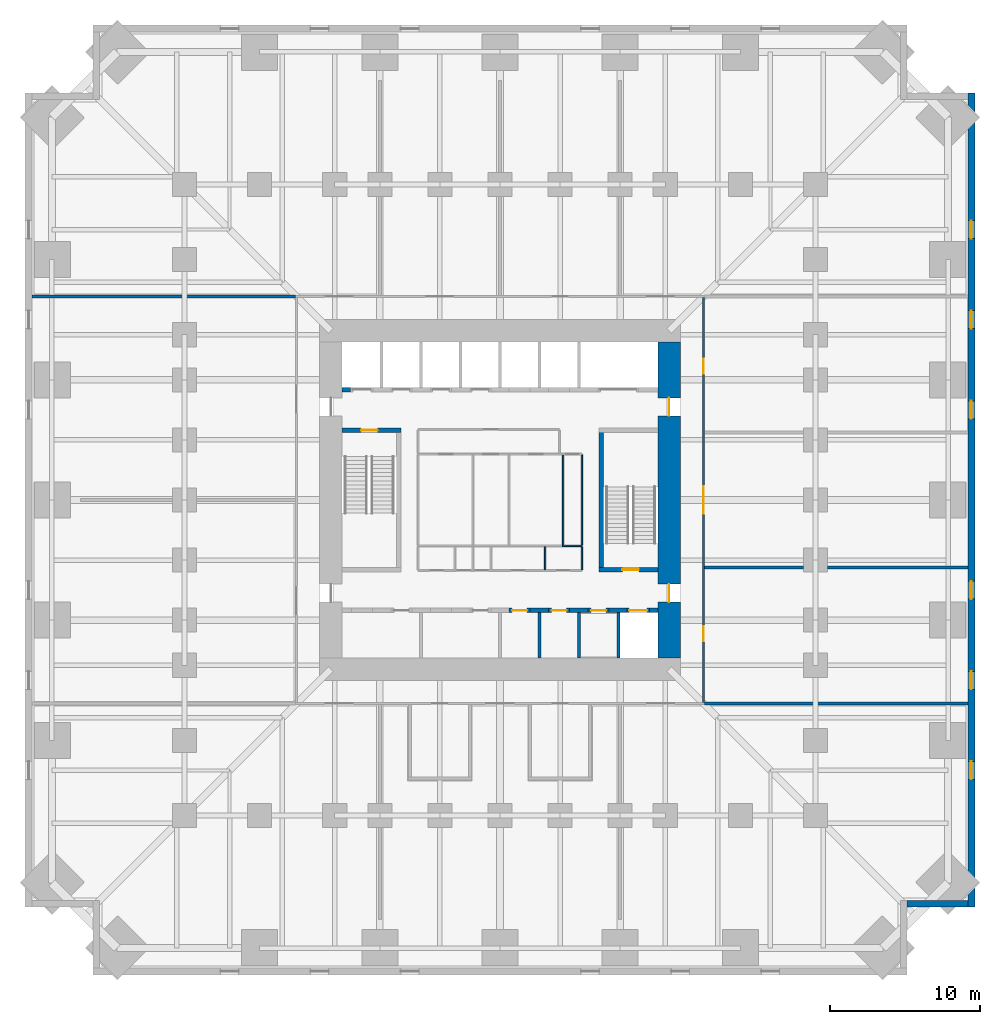
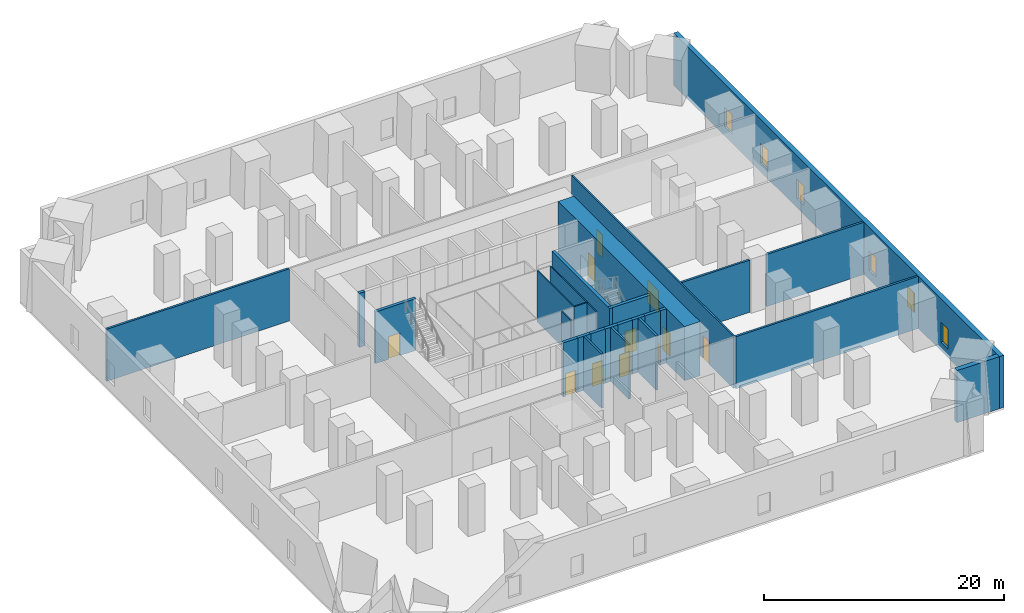
# One storey, part 5 of 8: 28 walls, 11 doors, 6 windows, 17 openings.
"""IFC4 building model written with IfcOpenShell, lengths in metres."""

from ifc_helpers import new_model, si_unit, direction, frame, frame_2d, origin, place, context, subcontext, project, spatial, rectangle, extrude, material, layer, layer_set, type_object, element, fill, save


model = new_model("IFC4")

# Units and contexts
model_context = context("Model", 3, precision=1e-05, world=origin(), true_north=direction((0.0, 1.0)))
body_context = subcontext(model_context, "Body", "Model", "MODEL_VIEW")
ifc_project = project(units=[si_unit("LENGTHUNIT", "METRE"), si_unit("AREAUNIT", "SQUARE_METRE"), si_unit("VOLUMEUNIT", "CUBIC_METRE"), si_unit("PLANEANGLEUNIT", "RADIAN"), si_unit("MASSUNIT", "GRAM", prefix="KILO")], contexts=[model_context])

# Site, building, storey
site_placement = place(None, origin())
site = spatial("IfcSite", under=ifc_project, at=site_placement, CompositionType="ELEMENT")
building_placement = place(site_placement, origin())
building = spatial("IfcBuilding", under=site, at=building_placement, Name="Peilmerk Tower", CompositionType="ELEMENT")
storey_placement = place(building_placement, frame((0.0, 0.0, 26.5)))
storey = spatial("IfcBuildingStorey", under=building, at=storey_placement, Name="L05", CompositionType="ELEMENT", Elevation=26.5)

# Wall, openings, windows
ifc_material_1 = material(Name="Precast concrete C45/55, board-marked finish", Category="concrete")
ifc_layer_1 = layer(ifc_material_1, 0.449951171875)
ifc_layer_set_1 = layer_set([ifc_layer_1], Name="Precast concrete C45/55, board-marked finish")
wall_type_1 = type_object("IfcWallType", Name="EW1 450 precast concrete facade wall, board-marked", PredefinedType="SOLIDWALL", material=ifc_layer_set_1)
wall_1_placement = place(storey_placement, frame((31.375, -27.10009765625, 0.0), z_axis=(0.0, 0.0, 1.0), x_axis=(0.0, 1.0, 0.0)))
wall_1 = element("IfcWall", 1, at=wall_1_placement, inside=storey, type_object=wall_type_1, Name="Facade wall E L05", PredefinedType="SOLIDWALL", context=body_context, shape_type="SweptSolid", body=[
    extrude(rectangle(XDim=54.2001953125, YDim=0.449951171875, at=frame_2d((27.10009765625, 0.0))), origin(), (0.0, 0.0, 1.0), 5.300048828125),
])
opening_1_placement = place(wall_1_placement, frame((8.5, 0.0, 0.89990234375)))
opening_1 = element("IfcOpeningElement", 2, at=opening_1_placement, cuts=wall_1, Name="Opening W2", PredefinedType="OPENING", context=body_context, shape_type="SweptSolid", body=[
    extrude(rectangle(XDim=1.199951171875, YDim=2.0, at=frame_2d((0.60009765625, 1.0))), frame((0.0, 0.23486328125, 0.0), z_axis=(0.0, -1.0, 0.0), x_axis=(1.0, 0.0, 0.0)), (0.0, 0.0, 1.0), 0.469970703125),
])
opening_2_placement = place(wall_1_placement, frame((14.5, 0.0, 0.89990234375)))
opening_2 = element("IfcOpeningElement", 3, at=opening_2_placement, cuts=wall_1, Name="Opening W2", PredefinedType="OPENING", context=body_context, shape_type="SweptSolid", body=[
    extrude(rectangle(XDim=1.199951171875, YDim=2.0, at=frame_2d((0.60009765625, 1.0))), frame((0.0, 0.23486328125, 0.0), z_axis=(0.0, -1.0, 0.0), x_axis=(1.0, 0.0, 0.0)), (0.0, 0.0, 1.0), 0.469970703125),
])
opening_3_placement = place(wall_1_placement, frame((20.5, 0.0, 0.89990234375)))
opening_3 = element("IfcOpeningElement", 4, at=opening_3_placement, cuts=wall_1, Name="Opening W2", PredefinedType="OPENING", context=body_context, shape_type="SweptSolid", body=[
    extrude(rectangle(XDim=1.199951171875, YDim=2.0, at=frame_2d((0.60009765625, 1.0))), frame((0.0, 0.23486328125, 0.0), z_axis=(0.0, -1.0, 0.0), x_axis=(1.0, 0.0, 0.0)), (0.0, 0.0, 1.0), 0.469970703125),
])
opening_4_placement = place(wall_1_placement, frame((32.5, 0.0, 0.89990234375)))
opening_4 = element("IfcOpeningElement", 5, at=opening_4_placement, cuts=wall_1, Name="Opening W2", PredefinedType="OPENING", context=body_context, shape_type="SweptSolid", body=[
    extrude(rectangle(XDim=1.199951171875, YDim=2.0, at=frame_2d((0.60009765625, 1.0))), frame((0.0, 0.23486328125, 0.0), z_axis=(0.0, -1.0, 0.0), x_axis=(1.0, 0.0, 0.0)), (0.0, 0.0, 1.0), 0.469970703125),
])
opening_5_placement = place(wall_1_placement, frame((38.5, 0.0, 0.89990234375)))
opening_5 = element("IfcOpeningElement", 6, at=opening_5_placement, cuts=wall_1, Name="Opening W2", PredefinedType="OPENING", context=body_context, shape_type="SweptSolid", body=[
    extrude(rectangle(XDim=1.199951171875, YDim=2.0, at=frame_2d((0.60009765625, 1.0))), frame((0.0, 0.23486328125, 0.0), z_axis=(0.0, -1.0, 0.0), x_axis=(1.0, 0.0, 0.0)), (0.0, 0.0, 1.0), 0.469970703125),
])
opening_6_placement = place(wall_1_placement, frame((44.5, 0.0, 0.89990234375)))
opening_6 = element("IfcOpeningElement", 7, at=opening_6_placement, cuts=wall_1, Name="Opening W2", PredefinedType="OPENING", context=body_context, shape_type="SweptSolid", body=[
    extrude(rectangle(XDim=1.199951171875, YDim=2.0, at=frame_2d((0.60009765625, 1.0))), frame((0.0, 0.23486328125, 0.0), z_axis=(0.0, -1.0, 0.0), x_axis=(1.0, 0.0, 0.0)), (0.0, 0.0, 1.0), 0.469970703125),
])
ifc_material_2 = material(Name="Aluminium frame, clear double glazing", Category="aluminium")
window_type = type_object("IfcWindowType", Name="W2 1200x2000 data hall slot window", PartitioningType="SINGLE_PANEL", PredefinedType="WINDOW", material=ifc_material_2)
window_1_placement = place(opening_1_placement, origin())
window_1 = element("IfcWindow", 8, at=window_1_placement, inside=storey, type_object=window_type, Name="Window W2 L05", OverallHeight=2.0, OverallWidth=1.199951171875, PartitioningType="SINGLE_PANEL", PredefinedType="WINDOW", context=body_context, shape_type="SweptSolid", body=[
    extrude(rectangle(XDim=1.199951171875, YDim=2.0, at=frame_2d((0.60009765625, 1.0))), frame((0.0, 0.030029296875, 0.0), z_axis=(0.0, -1.0, 0.0), x_axis=(1.0, 0.0, 0.0)), (0.0, 0.0, 1.0), 0.06005859375),
])
fill(opening_1, window_1)
window_2_placement = place(opening_2_placement, origin())
window_2 = element("IfcWindow", 9, at=window_2_placement, inside=storey, type_object=window_type, Name="Window W2 L05", OverallHeight=2.0, OverallWidth=1.199951171875, PartitioningType="SINGLE_PANEL", PredefinedType="WINDOW", context=body_context, shape_type="SweptSolid", body=[
    extrude(rectangle(XDim=1.199951171875, YDim=2.0, at=frame_2d((0.60009765625, 1.0))), frame((0.0, 0.030029296875, 0.0), z_axis=(0.0, -1.0, 0.0), x_axis=(1.0, 0.0, 0.0)), (0.0, 0.0, 1.0), 0.06005859375),
])
fill(opening_2, window_2)
window_3_placement = place(opening_3_placement, origin())
window_3 = element("IfcWindow", 10, at=window_3_placement, inside=storey, type_object=window_type, Name="Window W2 L05", OverallHeight=2.0, OverallWidth=1.199951171875, PartitioningType="SINGLE_PANEL", PredefinedType="WINDOW", context=body_context, shape_type="SweptSolid", body=[
    extrude(rectangle(XDim=1.199951171875, YDim=2.0, at=frame_2d((0.60009765625, 1.0))), frame((0.0, 0.030029296875, 0.0), z_axis=(0.0, -1.0, 0.0), x_axis=(1.0, 0.0, 0.0)), (0.0, 0.0, 1.0), 0.06005859375),
])
fill(opening_3, window_3)
window_4_placement = place(opening_4_placement, origin())
window_4 = element("IfcWindow", 11, at=window_4_placement, inside=storey, type_object=window_type, Name="Window W2 L05", OverallHeight=2.0, OverallWidth=1.199951171875, PartitioningType="SINGLE_PANEL", PredefinedType="WINDOW", context=body_context, shape_type="SweptSolid", body=[
    extrude(rectangle(XDim=1.199951171875, YDim=2.0, at=frame_2d((0.60009765625, 1.0))), frame((0.0, 0.030029296875, 0.0), z_axis=(0.0, -1.0, 0.0), x_axis=(1.0, 0.0, 0.0)), (0.0, 0.0, 1.0), 0.06005859375),
])
fill(opening_4, window_4)
window_5_placement = place(opening_5_placement, origin())
window_5 = element("IfcWindow", 12, at=window_5_placement, inside=storey, type_object=window_type, Name="Window W2 L05", OverallHeight=2.0, OverallWidth=1.199951171875, PartitioningType="SINGLE_PANEL", PredefinedType="WINDOW", context=body_context, shape_type="SweptSolid", body=[
    extrude(rectangle(XDim=1.199951171875, YDim=2.0, at=frame_2d((0.60009765625, 1.0))), frame((0.0, 0.030029296875, 0.0), z_axis=(0.0, -1.0, 0.0), x_axis=(1.0, 0.0, 0.0)), (0.0, 0.0, 1.0), 0.06005859375),
])
fill(opening_5, window_5)
window_6_placement = place(opening_6_placement, origin())
window_6 = element("IfcWindow", 13, at=window_6_placement, inside=storey, type_object=window_type, Name="Window W2 L05", OverallHeight=2.0, OverallWidth=1.199951171875, PartitioningType="SINGLE_PANEL", PredefinedType="WINDOW", context=body_context, shape_type="SweptSolid", body=[
    extrude(rectangle(XDim=1.199951171875, YDim=2.0, at=frame_2d((0.60009765625, 1.0))), frame((0.0, 0.030029296875, 0.0), z_axis=(0.0, -1.0, 0.0), x_axis=(1.0, 0.0, 0.0)), (0.0, 0.0, 1.0), 0.06005859375),
])
fill(opening_6, window_6)

# Wall
wall_2_placement = place(storey_placement, frame((27.10009765625, -26.875, 0.0), z_axis=(0.0, 0.0, 1.0), x_axis=(1.0, 0.0, 0.0)))
element("IfcWall", 14, at=wall_2_placement, inside=storey, type_object=wall_type_1, Name="Facade wall SEB L05", PredefinedType="SOLIDWALL", context=body_context, shape_type="SweptSolid", body=[
    extrude(rectangle(XDim=4.0498046875, YDim=0.449951171875, at=frame_2d((2.02490234375, 0.0))), origin(), (0.0, 0.0, 1.0), 5.300048828125),
])

# Wall, openings, doors
ifc_material_3 = material(Name="Calcium silicate block", Category="masonry")
ifc_layer_2 = layer(ifc_material_3, 0.14990234375)
ifc_layer_set_2 = layer_set([ifc_layer_2], Name="Calcium silicate block")
wall_type_2 = type_object("IfcWallType", Name="IW1 150 corridor partition, EI 60", PredefinedType="PARTITIONING", material=ifc_layer_set_2)
wall_3_placement = place(storey_placement, frame((13.550048828125, -13.47509765625, 0.0), z_axis=(0.0, 0.0, 1.0), x_axis=(0.0, 1.0, 0.0)))
wall_3 = element("IfcWall", 15, at=wall_3_placement, inside=storey, type_object=wall_type_2, Name="Corridor wall E L05", PredefinedType="PARTITIONING", context=body_context, shape_type="SweptSolid", body=[
    extrude(rectangle(XDim=26.9501953125, YDim=0.14990234375, at=frame_2d((13.47509765625, 0.0))), origin(), (0.0, 0.0, 1.0), 5.300048828125),
])
opening_7_placement = place(wall_3_placement, frame((4.074951171875, 0.0, 0.0)))
opening_7 = element("IfcOpeningElement", 16, at=opening_7_placement, cuts=wall_3, Name="Opening D1", PredefinedType="OPENING", context=body_context, shape_type="SweptSolid", body=[
    extrude(rectangle(XDim=1.0, YDim=2.300048828125, at=frame_2d((0.5, 1.14990234375))), frame((0.0, 0.0849609375, 0.0), z_axis=(0.0, -1.0, 0.0), x_axis=(1.0, 0.0, 0.0)), (0.0, 0.0, 1.0), 0.169921875),
])
opening_8_placement = place(wall_3_placement, frame((12.574951171875, 0.0, 0.0)))
opening_8 = element("IfcOpeningElement", 17, at=opening_8_placement, cuts=wall_3, Name="Opening D2", PredefinedType="OPENING", context=body_context, shape_type="SweptSolid", body=[
    extrude(rectangle(XDim=1.800048828125, YDim=2.300048828125, at=frame_2d((0.89990234375, 1.14990234375))), frame((0.0, 0.0849609375, 0.0), z_axis=(0.0, -1.0, 0.0), x_axis=(1.0, 0.0, 0.0)), (0.0, 0.0, 1.0), 0.169921875),
])
opening_9_placement = place(wall_3_placement, frame((21.875, 0.0, 0.0)))
opening_9 = element("IfcOpeningElement", 18, at=opening_9_placement, cuts=wall_3, Name="Opening D1", PredefinedType="OPENING", context=body_context, shape_type="SweptSolid", body=[
    extrude(rectangle(XDim=1.0, YDim=2.300048828125, at=frame_2d((0.5, 1.14990234375))), frame((0.0, 0.0849609375, 0.0), z_axis=(0.0, -1.0, 0.0), x_axis=(1.0, 0.0, 0.0)), (0.0, 0.0, 1.0), 0.169921875),
])
ifc_material_4 = material(Name="Timber door in steel frame", Category="steel")
door_type_1 = type_object("IfcDoorType", Name="D1 1000x2300 room door, EI2 30", OperationType="SINGLE_SWING_LEFT", PredefinedType="DOOR", material=ifc_material_4)
door_1_placement = place(opening_7_placement, frame((1.0, 0.0, 0.0), z_axis=(0.0, 0.0, 1.0), x_axis=(-1.0, 0.0, 0.0)))
door_1 = element("IfcDoor", 19, at=door_1_placement, inside=storey, type_object=door_type_1, Name="Door HV switchroom L05", OperationType="SINGLE_SWING_LEFT", OverallHeight=2.300048828125, OverallWidth=1.0, PredefinedType="DOOR", context=body_context, shape_type="SweptSolid", body=[
    extrude(rectangle(XDim=1.0, YDim=2.300048828125, at=frame_2d((0.5, 1.14990234375))), frame((0.0, 0.02490234375, 0.0), z_axis=(0.0, -1.0, 0.0), x_axis=(1.0, 0.0, 0.0)), (0.0, 0.0, 1.0), 0.050048828125),
])
fill(opening_7, door_1)
door_2_placement = place(opening_9_placement, frame((1.0, 0.0, 0.0), z_axis=(0.0, 0.0, 1.0), x_axis=(-1.0, 0.0, 0.0)))
door_2 = element("IfcDoor", 20, at=door_2_placement, inside=storey, type_object=door_type_1, Name="Door LV switchboard room L05", OperationType="SINGLE_SWING_LEFT", OverallHeight=2.300048828125, OverallWidth=1.0, PredefinedType="DOOR", context=body_context, shape_type="SweptSolid", body=[
    extrude(rectangle(XDim=1.0, YDim=2.300048828125, at=frame_2d((0.5, 1.14990234375))), frame((0.0, 0.02490234375, 0.0), z_axis=(0.0, -1.0, 0.0), x_axis=(1.0, 0.0, 0.0)), (0.0, 0.0, 1.0), 0.050048828125),
])
fill(opening_9, door_2)
ifc_material_5 = material(Name="Steel door in steel frame", Category="steel")
door_type_2 = type_object("IfcDoorType", Name="D2 1800x2300 double door, EI2 60", OperationType="DOUBLE_DOOR_DOUBLE_SWING", PredefinedType="DOOR", material=ifc_material_5)
door_3_placement = place(opening_8_placement, frame((1.800048828125, 0.0, 0.0), z_axis=(0.0, 0.0, 1.0), x_axis=(-1.0, 0.0, 0.0)))
door_3 = element("IfcDoor", 21, at=door_3_placement, inside=storey, type_object=door_type_2, Name="Door Transformer room L05", OperationType="DOUBLE_DOOR_DOUBLE_SWING", OverallHeight=2.300048828125, OverallWidth=1.800048828125, PredefinedType="DOOR", context=body_context, shape_type="SweptSolid", body=[
    extrude(rectangle(XDim=1.800048828125, YDim=2.300048828125, at=frame_2d((0.89990234375, 1.14990234375))), frame((0.0, 0.02490234375, 0.0), z_axis=(0.0, -1.0, 0.0), x_axis=(1.0, 0.0, 0.0)), (0.0, 0.0, 1.0), 0.050048828125),
])
fill(opening_8, door_3)

# Walls
ifc_layer_3 = layer(ifc_material_3, 0.199951171875)
ifc_layer_set_3 = layer_set([ifc_layer_3], Name="Calcium silicate block")
wall_type_3 = type_object("IfcWallType", Name="IW2 200 room separating wall, EI 120", PredefinedType="PARTITIONING", material=ifc_layer_set_3)
for number, where, z_axis, x_axis, name in (
    (22, (-31.14990234375, 13.550048828125, 0.0), (0.0, 0.0, 1.0), (1.0, 0.0, 0.0), "Room separating wall NW L05"),
    (23, (31.14990234375, -13.550048828125, 0.0), (0.0, 0.0, 1.0), (-1.0, 0.0, 0.0), "Room separating wall SE L05"),
):
    element("IfcWall", number, at=place(storey_placement, frame(where, z_axis=z_axis, x_axis=x_axis)), inside=storey, type_object=wall_type_3, Name=name, PredefinedType="PARTITIONING", context=body_context, shape_type="SweptSolid", body=[
        extrude(rectangle(XDim=17.52490234375, YDim=0.199951171875, at=frame_2d((8.762451171875, 0.0))), origin(), (0.0, 0.0, 1.0), 5.300048828125),
    ])
wall_4_placement = place(storey_placement, frame((13.625, -4.5, 0.0), z_axis=(0.0, 0.0, 1.0), x_axis=(1.0, 0.0, 0.0)))
element("IfcWall", 24, at=wall_4_placement, inside=storey, type_object=wall_type_3, Name="Room separating wall E1 L05", PredefinedType="PARTITIONING", context=body_context, shape_type="SweptSolid", body=[
    extrude(rectangle(XDim=6.574951171875, YDim=0.199951171875, at=frame_2d((3.28759765625, 0.0))), origin(), (0.0, 0.0, 1.0), 5.300048828125),
])
wall_5_placement = place(storey_placement, frame((21.800048828125, -4.5, 0.0), z_axis=(0.0, 0.0, 1.0), x_axis=(1.0, 0.0, 0.0)))
element("IfcWall", 25, at=wall_5_placement, inside=storey, type_object=wall_type_3, Name="Room separating wall E1b L05", PredefinedType="PARTITIONING", context=body_context, shape_type="SweptSolid", body=[
    extrude(rectangle(XDim=9.349853515625, YDim=0.199951171875, at=frame_2d((4.6748046875, 0.0))), origin(), (0.0, 0.0, 1.0), 5.300048828125),
])

# Wall, opening, door
ifc_material_6 = material(Name="Concrete C35/45", Category="concrete")
ifc_layer_4 = layer(ifc_material_6, 0.300048828125)
ifc_layer_set_4 = layer_set([ifc_layer_4], Name="Concrete C35/45")
wall_type_4 = type_object("IfcWallType", Name="IW3 300 concrete stair enclosure wall, EI 120", PredefinedType="SOLIDWALL", material=ifc_layer_set_4)
wall_6_placement = place(storey_placement, frame((-10.5, 4.64990234375, 0.0), z_axis=(0.0, 0.0, 1.0), x_axis=(1.0, 0.0, 0.0)))
wall_6 = element("IfcWall", 26, at=wall_6_placement, inside=storey, type_object=wall_type_4, Name="Stair 1 enclosure L05", PredefinedType="SOLIDWALL", context=body_context, shape_type="SweptSolid", body=[
    extrude(rectangle(XDim=3.89990234375, YDim=0.300048828125, at=frame_2d((1.949951171875, 0.0))), origin(), (0.0, 0.0, 1.0), 5.25),
])
opening_10_placement = place(wall_6_placement, frame((1.25, 0.0, 0.0)))
opening_10 = element("IfcOpeningElement", 27, at=opening_10_placement, cuts=wall_6, Name="Opening D4", PredefinedType="OPENING", context=body_context, shape_type="SweptSolid", body=[
    extrude(rectangle(XDim=1.10009765625, YDim=2.300048828125, at=frame_2d((0.550048828125, 1.14990234375))), frame((0.0, 0.159912109375, 0.0), z_axis=(0.0, -1.0, 0.0), x_axis=(1.0, 0.0, 0.0)), (0.0, 0.0, 1.0), 0.320068359375),
])
door_type_3 = type_object("IfcDoorType", Name="D4 1100x2300 stair door, EI2 60", OperationType="SINGLE_SWING_RIGHT", PredefinedType="DOOR", material=ifc_material_5)
door_4_placement = place(opening_10_placement, frame((1.10009765625, 0.0, 0.0), z_axis=(0.0, 0.0, 1.0), x_axis=(-1.0, 0.0, 0.0)))
door_4 = element("IfcDoor", 28, at=door_4_placement, inside=storey, type_object=door_type_3, Name="Stair 1 door L05", OperationType="SINGLE_SWING_RIGHT", OverallHeight=2.300048828125, OverallWidth=1.10009765625, PredefinedType="DOOR", context=body_context, shape_type="SweptSolid", body=[
    extrude(rectangle(XDim=1.10009765625, YDim=2.300048828125, at=frame_2d((0.550048828125, 1.14990234375))), frame((0.0, 0.02490234375, 0.0), z_axis=(0.0, -1.0, 0.0), x_axis=(1.0, 0.0, 0.0)), (0.0, 0.0, 1.0), 0.050048828125),
])
fill(opening_10, door_4)

# Wall
wall_7_placement = place(storey_placement, frame((6.75, -4.800048828125, 0.0), z_axis=(0.0, 0.0, 1.0), x_axis=(0.0, 1.0, 0.0)))
element("IfcWall", 29, at=wall_7_placement, inside=storey, type_object=wall_type_4, Name="Stair 2 enclosure L05", PredefinedType="SOLIDWALL", context=body_context, shape_type="SweptSolid", body=[
    extrude(rectangle(XDim=9.60009765625, YDim=0.300048828125, at=frame_2d((4.800048828125, 0.0))), origin(), (0.0, 0.0, 1.0), 5.25),
])

# Wall, opening, door
wall_8_placement = place(storey_placement, frame((10.5, -4.64990234375, 0.0), z_axis=(0.0, 0.0, 1.0), x_axis=(-1.0, 0.0, 0.0)))
wall_8 = element("IfcWall", 30, at=wall_8_placement, inside=storey, type_object=wall_type_4, Name="Stair 2 enclosure L05", PredefinedType="SOLIDWALL", context=body_context, shape_type="SweptSolid", body=[
    extrude(rectangle(XDim=3.89990234375, YDim=0.300048828125, at=frame_2d((1.949951171875, 0.0))), origin(), (0.0, 0.0, 1.0), 5.25),
])
opening_11_placement = place(wall_8_placement, frame((1.25, 0.0, 0.0)))
opening_11 = element("IfcOpeningElement", 31, at=opening_11_placement, cuts=wall_8, Name="Opening D4", PredefinedType="OPENING", context=body_context, shape_type="SweptSolid", body=[
    extrude(rectangle(XDim=1.10009765625, YDim=2.300048828125, at=frame_2d((0.550048828125, 1.14990234375))), frame((0.0, 0.159912109375, 0.0), z_axis=(0.0, -1.0, 0.0), x_axis=(1.0, 0.0, 0.0)), (0.0, 0.0, 1.0), 0.320068359375),
])
door_5_placement = place(opening_11_placement, frame((1.10009765625, 0.0, 0.0), z_axis=(0.0, 0.0, 1.0), x_axis=(-1.0, 0.0, 0.0)))
door_5 = element("IfcDoor", 32, at=door_5_placement, inside=storey, type_object=door_type_3, Name="Stair 2 door L05", OperationType="SINGLE_SWING_RIGHT", OverallHeight=2.300048828125, OverallWidth=1.10009765625, PredefinedType="DOOR", context=body_context, shape_type="SweptSolid", body=[
    extrude(rectangle(XDim=1.10009765625, YDim=2.300048828125, at=frame_2d((0.550048828125, 1.14990234375))), frame((0.0, 0.02490234375, 0.0), z_axis=(0.0, -1.0, 0.0), x_axis=(1.0, 0.0, 0.0)), (0.0, 0.0, 1.0), 0.050048828125),
])
fill(opening_11, door_5)

# Walls
ifc_material_7 = material(Name="Calcium silicate board on steel studs", Category="steel")
ifc_layer_5 = layer(ifc_material_7, 0.10009765625)
ifc_layer_set_5 = layer_set([ifc_layer_5], Name="Calcium silicate board on steel studs")
wall_type_5 = type_object("IfcWallType", Name="IW5 100 riser enclosure wall, EI 60", PredefinedType="PARTITIONING", material=ifc_layer_set_5)
wall_9_placement = place(storey_placement, frame((5.449951171875, -3.050048828125, 0.0), z_axis=(0.0, 0.0, 1.0), x_axis=(-1.0, 0.0, 0.0)))
element("IfcWall", 33, at=wall_9_placement, inside=storey, type_object=wall_type_5, Name="Riser wall L05", PredefinedType="PARTITIONING", context=body_context, shape_type="SweptSolid", body=[
    extrude(rectangle(XDim=1.300048828125, YDim=0.10009765625, at=frame_2d((0.64990234375, 0.0))), origin(), (0.0, 0.0, 1.0), 5.25),
])
for number, where, z_axis, x_axis, name in (
    (34, (5.449951171875, 3.0, 0.0), (0.0, 0.0, 1.0), (0.0, -1.0, 0.0), "Riser wall L05"),
    (35, (4.199951171875, -3.0, 0.0), (0.0, 0.0, 1.0), (0.0, 1.0, 0.0), "Riser wall L05"),
):
    element("IfcWall", number, at=place(storey_placement, frame(where, z_axis=z_axis, x_axis=x_axis)), inside=storey, type_object=wall_type_5, Name=name, PredefinedType="PARTITIONING", context=body_context, shape_type="SweptSolid", body=[
        extrude(rectangle(XDim=6.0, YDim=0.10009765625, at=frame_2d((3.0, 0.0))), origin(), (0.0, 0.0, 1.0), 5.25),
    ])
for number, where, z_axis, x_axis, name in (
    (36, (5.449951171875, -3.10009765625, 0.0), (0.0, 0.0, 1.0), (0.0, -1.0, 0.0), "Riser wall L05"),
    (37, (3.0, -3.10009765625, 0.0), (0.0, 0.0, 1.0), (0.0, -1.0, 0.0), "Riser wall L05"),
):
    element("IfcWall", number, at=place(storey_placement, frame(where, z_axis=z_axis, x_axis=x_axis)), inside=storey, type_object=wall_type_5, Name=name, PredefinedType="PARTITIONING", context=body_context, shape_type="SweptSolid", body=[
        extrude(rectangle(XDim=1.5498046875, YDim=0.10009765625, at=frame_2d((0.77490234375, 0.0))), origin(), (0.0, 0.0, 1.0), 5.25),
    ])
ifc_layer_6 = layer(ifc_material_3, 0.199951171875)
ifc_layer_set_6 = layer_set([ifc_layer_6], Name="Calcium silicate block")
wall_type_6 = type_object("IfcWallType", Name="SH1 200 shaft dividing wall, EI 120", PredefinedType="PARTITIONING", material=ifc_layer_set_6)
for number, where, z_axis, x_axis, name in (
    (38, (2.625, -10.5, 0.0), (0.0, 0.0, 1.0), (0.0, 1.0, 0.0), "Shaft wall S B3 L05"),
    (39, (5.25, -10.5, 0.0), (0.0, 0.0, 1.0), (0.0, 1.0, 0.0), "Shaft wall S B2 L05"),
    (40, (7.875, -10.5, 0.0), (0.0, 0.0, 1.0), (0.0, 1.0, 0.0), "Shaft wall S B1 L05"),
):
    element("IfcWall", number, at=place(storey_placement, frame(where, z_axis=z_axis, x_axis=x_axis)), inside=storey, type_object=wall_type_6, Name=name, PredefinedType="PARTITIONING", context=body_context, shape_type="SweptSolid", body=[
        extrude(rectangle(XDim=3.0, YDim=0.199951171875, at=frame_2d((1.5, 0.0))), origin(), (0.0, 0.0, 1.0), 5.5),
    ])

# Wall, opening, door
ifc_layer_7 = layer(ifc_material_3, 0.300048828125)
ifc_layer_set_7 = layer_set([ifc_layer_7], Name="Calcium silicate block")
wall_type_7 = type_object("IfcWallType", Name="SH2 300 lift landing door panel, EI 120", PredefinedType="PARTITIONING", material=ifc_layer_set_7)
wall_10_placement = place(storey_placement, frame((0.612548828125, -7.35009765625, 0.0), z_axis=(0.0, 0.0, 1.0), x_axis=(1.0, 0.0, 0.0)))
wall_10 = element("IfcWall", 41, at=wall_10_placement, inside=storey, type_object=wall_type_7, Name="Lift door panel S B3 L05", PredefinedType="PARTITIONING", context=body_context, shape_type="SweptSolid", body=[
    extrude(rectangle(XDim=1.39990234375, YDim=0.300048828125, at=frame_2d((0.699951171875, 0.0))), origin(), (0.0, 0.0, 1.0), 5.5),
])
opening_12_placement = place(wall_10_placement, frame((0.199951171875, 0.0, 0.0)))
opening_12 = element("IfcOpeningElement", 42, at=opening_12_placement, cuts=wall_10, Name="Opening D10", PredefinedType="OPENING", context=body_context, shape_type="SweptSolid", body=[
    extrude(rectangle(XDim=1.0, YDim=2.300048828125, at=frame_2d((0.5, 1.14990234375))), frame((0.0, 0.159912109375, 0.0), z_axis=(0.0, -1.0, 0.0), x_axis=(1.0, 0.0, 0.0)), (0.0, 0.0, 1.0), 0.320068359375),
])
door_type_4 = type_object("IfcDoorType", Name="D10 1000x2300 core room door, EI2 60", OperationType="SINGLE_SWING_RIGHT", PredefinedType="DOOR", material=ifc_material_5)
door_6_placement = place(opening_12_placement, frame((1.0, 0.0, 0.0), z_axis=(0.0, 0.0, 1.0), x_axis=(-1.0, 0.0, 0.0)))
door_6 = element("IfcDoor", 43, at=door_6_placement, inside=storey, type_object=door_type_4, Name="Door Electrical room L05", OperationType="SINGLE_SWING_RIGHT", OverallHeight=2.300048828125, OverallWidth=1.0, PredefinedType="DOOR", context=body_context, shape_type="SweptSolid", body=[
    extrude(rectangle(XDim=1.0, YDim=2.300048828125, at=frame_2d((0.5, 1.14990234375))), frame((0.0, 0.02490234375, 0.0), z_axis=(0.0, -1.0, 0.0), x_axis=(1.0, 0.0, 0.0)), (0.0, 0.0, 1.0), 0.050048828125),
])
fill(opening_12, door_6)

wall_11_placement = place(storey_placement, frame((3.237548828125, -7.35009765625, 0.0), z_axis=(0.0, 0.0, 1.0), x_axis=(1.0, 0.0, 0.0)))
wall_11 = element("IfcWall", 44, at=wall_11_placement, inside=storey, type_object=wall_type_7, Name="Lift door panel S B2 L05", PredefinedType="PARTITIONING", context=body_context, shape_type="SweptSolid", body=[
    extrude(rectangle(XDim=1.39990234375, YDim=0.300048828125, at=frame_2d((0.699951171875, 0.0))), origin(), (0.0, 0.0, 1.0), 5.5),
])
opening_13_placement = place(wall_11_placement, frame((0.199951171875, 0.0, 0.0)))
opening_13 = element("IfcOpeningElement", 45, at=opening_13_placement, cuts=wall_11, Name="Opening D10", PredefinedType="OPENING", context=body_context, shape_type="SweptSolid", body=[
    extrude(rectangle(XDim=1.0, YDim=2.300048828125, at=frame_2d((0.5, 1.14990234375))), frame((0.0, 0.159912109375, 0.0), z_axis=(0.0, -1.0, 0.0), x_axis=(1.0, 0.0, 0.0)), (0.0, 0.0, 1.0), 0.320068359375),
])
door_7_placement = place(opening_13_placement, frame((1.0, 0.0, 0.0), z_axis=(0.0, 0.0, 1.0), x_axis=(-1.0, 0.0, 0.0)))
door_7 = element("IfcDoor", 46, at=door_7_placement, inside=storey, type_object=door_type_4, Name="Door Staff WC L05", OperationType="SINGLE_SWING_RIGHT", OverallHeight=2.300048828125, OverallWidth=1.0, PredefinedType="DOOR", context=body_context, shape_type="SweptSolid", body=[
    extrude(rectangle(XDim=1.0, YDim=2.300048828125, at=frame_2d((0.5, 1.14990234375))), frame((0.0, 0.02490234375, 0.0), z_axis=(0.0, -1.0, 0.0), x_axis=(1.0, 0.0, 0.0)), (0.0, 0.0, 1.0), 0.050048828125),
])
fill(opening_13, door_7)

wall_12_placement = place(storey_placement, frame((5.862548828125, -7.35009765625, 0.0), z_axis=(0.0, 0.0, 1.0), x_axis=(1.0, 0.0, 0.0)))
wall_12 = element("IfcWall", 47, at=wall_12_placement, inside=storey, type_object=wall_type_7, Name="Lift door panel S B1 L05", PredefinedType="PARTITIONING", context=body_context, shape_type="SweptSolid", body=[
    extrude(rectangle(XDim=1.39990234375, YDim=0.300048828125, at=frame_2d((0.699951171875, 0.0))), origin(), (0.0, 0.0, 1.0), 5.5),
])
opening_14_placement = place(wall_12_placement, frame((0.199951171875, 0.0, 0.0)))
opening_14 = element("IfcOpeningElement", 48, at=opening_14_placement, cuts=wall_12, Name="Opening D10", PredefinedType="OPENING", context=body_context, shape_type="SweptSolid", body=[
    extrude(rectangle(XDim=1.0, YDim=2.300048828125, at=frame_2d((0.5, 1.14990234375))), frame((0.0, 0.159912109375, 0.0), z_axis=(0.0, -1.0, 0.0), x_axis=(1.0, 0.0, 0.0)), (0.0, 0.0, 1.0), 0.320068359375),
])
door_8_placement = place(opening_14_placement, frame((1.0, 0.0, 0.0), z_axis=(0.0, 0.0, 1.0), x_axis=(-1.0, 0.0, 0.0)))
door_8 = element("IfcDoor", 49, at=door_8_placement, inside=storey, type_object=door_type_4, Name="Door Pantry L05", OperationType="SINGLE_SWING_RIGHT", OverallHeight=2.300048828125, OverallWidth=1.0, PredefinedType="DOOR", context=body_context, shape_type="SweptSolid", body=[
    extrude(rectangle(XDim=1.0, YDim=2.300048828125, at=frame_2d((0.5, 1.14990234375))), frame((0.0, 0.02490234375, 0.0), z_axis=(0.0, -1.0, 0.0), x_axis=(1.0, 0.0, 0.0)), (0.0, 0.0, 1.0), 0.050048828125),
])
fill(opening_14, door_8)

wall_13_placement = place(storey_placement, frame((8.4375, -7.35009765625, 0.0), z_axis=(0.0, 0.0, 1.0), x_axis=(1.0, 0.0, 0.0)))
wall_13 = element("IfcWall", 50, at=wall_13_placement, inside=storey, type_object=wall_type_7, Name="Lift door panel S FL2 L05", PredefinedType="PARTITIONING", context=body_context, shape_type="SweptSolid", body=[
    extrude(rectangle(XDim=1.5, YDim=0.300048828125, at=frame_2d((0.75, 0.0))), origin(), (0.0, 0.0, 1.0), 5.5),
])
opening_15_placement = place(wall_13_placement, frame((0.14990234375, 0.0, 0.0)))
opening_15 = element("IfcOpeningElement", 51, at=opening_15_placement, cuts=wall_13, Name="Opening LD2", PredefinedType="OPENING", context=body_context, shape_type="SweptSolid", body=[
    extrude(rectangle(XDim=1.199951171875, YDim=2.300048828125, at=frame_2d((0.60009765625, 1.14990234375))), frame((0.0, 0.159912109375, 0.0), z_axis=(0.0, -1.0, 0.0), x_axis=(1.0, 0.0, 0.0)), (0.0, 0.0, 1.0), 0.320068359375),
])
ifc_material_8 = material(Name="Stainless steel landing door", Category="steel")
door_type_5 = type_object("IfcDoorType", Name="LD2 1200x2300 lift landing door, sliding, EI2 60", OperationType="SLIDING_TO_LEFT", PredefinedType="DOOR", material=ifc_material_8)
door_9_placement = place(opening_15_placement, origin())
door_9 = element("IfcDoor", 52, at=door_9_placement, inside=storey, type_object=door_type_5, Name="Lift landing door FL2 L05", OperationType="SLIDING_TO_LEFT", OverallHeight=2.300048828125, OverallWidth=1.199951171875, PredefinedType="DOOR", context=body_context, shape_type="SweptSolid", body=[
    extrude(rectangle(XDim=1.199951171875, YDim=2.300048828125, at=frame_2d((0.60009765625, 1.14990234375))), frame((0.0, 0.02490234375, 0.0), z_axis=(0.0, -1.0, 0.0), x_axis=(1.0, 0.0, 0.0)), (0.0, 0.0, 1.0), 0.050048828125),
])
fill(opening_15, door_9)

# Wall, openings, doors
ifc_material_9 = material(Name="Concrete C55/67", Category="concrete")
ifc_layer_8 = layer(ifc_material_9, 1.5)
ifc_layer_set_8 = layer_set([ifc_layer_8], Name="Concrete C55/67")
wall_type_8 = type_object("IfcWallType", Name="SW1 1500 core wall", PredefinedType="SHEAR", material=ifc_layer_set_8)
wall_14_placement = place(storey_placement, frame((11.25, 10.5, 0.0), z_axis=(0.0, 0.0, 1.0), x_axis=(0.0, -1.0, 0.0)))
wall_14 = element("IfcWall", 53, at=wall_14_placement, inside=storey, type_object=wall_type_8, Name="Core wall E L05", PredefinedType="SHEAR", context=body_context, shape_type="SweptSolid", body=[
    extrude(rectangle(XDim=21.0, YDim=1.5, at=frame_2d((10.5, 0.0))), origin(), (0.0, 0.0, 1.0), 5.5),
])
opening_16_placement = place(wall_14_placement, frame((3.699951171875, 0.0, 0.0)))
opening_16 = element("IfcOpeningElement", 54, at=opening_16_placement, cuts=wall_14, Name="Opening D3", PredefinedType="OPENING", context=body_context, shape_type="SweptSolid", body=[
    extrude(rectangle(XDim=1.199951171875, YDim=2.300048828125, at=frame_2d((0.60009765625, 1.14990234375))), frame((0.0, 0.760009765625, 0.0), z_axis=(0.0, -1.0, 0.0), x_axis=(1.0, 0.0, 0.0)), (0.0, 0.0, 1.0), 1.52001953125),
])
opening_17_placement = place(wall_14_placement, frame((16.10009765625, 0.0, 0.0)))
opening_17 = element("IfcOpeningElement", 55, at=opening_17_placement, cuts=wall_14, Name="Opening D3", PredefinedType="OPENING", context=body_context, shape_type="SweptSolid", body=[
    extrude(rectangle(XDim=1.199951171875, YDim=2.300048828125, at=frame_2d((0.60009765625, 1.14990234375))), frame((0.0, 0.760009765625, 0.0), z_axis=(0.0, -1.0, 0.0), x_axis=(1.0, 0.0, 0.0)), (0.0, 0.0, 1.0), 1.52001953125),
])
door_type_6 = type_object("IfcDoorType", Name="D3 1200x2300 core door, EI2 60", OperationType="SINGLE_SWING_LEFT", PredefinedType="DOOR", material=ifc_material_5)
door_10_placement = place(opening_16_placement, frame((1.199951171875, 0.0, 0.0), z_axis=(0.0, 0.0, 1.0), x_axis=(-1.0, 0.0, 0.0)))
door_10 = element("IfcDoor", 56, at=door_10_placement, inside=storey, type_object=door_type_6, Name="Core door L05", OperationType="SINGLE_SWING_LEFT", OverallHeight=2.300048828125, OverallWidth=1.199951171875, PredefinedType="DOOR", context=body_context, shape_type="SweptSolid", body=[
    extrude(rectangle(XDim=1.199951171875, YDim=2.300048828125, at=frame_2d((0.60009765625, 1.14990234375))), frame((0.0, 0.02490234375, 0.0), z_axis=(0.0, -1.0, 0.0), x_axis=(1.0, 0.0, 0.0)), (0.0, 0.0, 1.0), 0.050048828125),
])
fill(opening_16, door_10)
door_11_placement = place(opening_17_placement, frame((1.199951171875, 0.0, 0.0), z_axis=(0.0, 0.0, 1.0), x_axis=(-1.0, 0.0, 0.0)))
door_11 = element("IfcDoor", 57, at=door_11_placement, inside=storey, type_object=door_type_6, Name="Core door L05", OperationType="SINGLE_SWING_LEFT", OverallHeight=2.300048828125, OverallWidth=1.199951171875, PredefinedType="DOOR", context=body_context, shape_type="SweptSolid", body=[
    extrude(rectangle(XDim=1.199951171875, YDim=2.300048828125, at=frame_2d((0.60009765625, 1.14990234375))), frame((0.0, 0.02490234375, 0.0), z_axis=(0.0, -1.0, 0.0), x_axis=(1.0, 0.0, 0.0)), (0.0, 0.0, 1.0), 0.050048828125),
])
fill(opening_17, door_11)

# Walls
ifc_layer_9 = layer(ifc_material_9, 0.300048828125)
ifc_layer_set_9 = layer_set([ifc_layer_9], Name="Concrete C55/67")
wall_type_9 = type_object("IfcWallType", Name="SW2 300 lift bank pier", PredefinedType="SHEAR", material=ifc_layer_set_9)
wall_15_placement = place(storey_placement, frame((-10.5, 7.35009765625, 0.0), z_axis=(0.0, 0.0, 1.0), x_axis=(1.0, 0.0, 0.0)))
element("IfcWall", 58, at=wall_15_placement, inside=storey, type_object=wall_type_9, Name="Lift bank pier N L05", PredefinedType="SHEAR", context=body_context, shape_type="SweptSolid", body=[
    extrude(rectangle(XDim=0.5625, YDim=0.300048828125, at=frame_2d((0.28125, 0.0))), origin(), (0.0, 0.0, 1.0), 5.5),
])
for number, where, z_axis, x_axis, name in (
    (59, (2.012451171875, -7.35009765625, 0.0), (0.0, 0.0, 1.0), (1.0, 0.0, 0.0), "Lift bank pier S L05"),
    (60, (4.637451171875, -7.35009765625, 0.0), (0.0, 0.0, 1.0), (1.0, 0.0, 0.0), "Lift bank pier S L05"),
):
    element("IfcWall", number, at=place(storey_placement, frame(where, z_axis=z_axis, x_axis=x_axis)), inside=storey, type_object=wall_type_9, Name=name, PredefinedType="SHEAR", context=body_context, shape_type="SweptSolid", body=[
        extrude(rectangle(XDim=1.22509765625, YDim=0.300048828125, at=frame_2d((0.612548828125, 0.0))), origin(), (0.0, 0.0, 1.0), 5.5),
    ])
wall_16_placement = place(storey_placement, frame((7.262451171875, -7.35009765625, 0.0), z_axis=(0.0, 0.0, 1.0), x_axis=(1.0, 0.0, 0.0)))
element("IfcWall", 61, at=wall_16_placement, inside=storey, type_object=wall_type_9, Name="Lift bank pier S L05", PredefinedType="SHEAR", context=body_context, shape_type="SweptSolid", body=[
    extrude(rectangle(XDim=1.175048828125, YDim=0.300048828125, at=frame_2d((0.58740234375, 0.0))), origin(), (0.0, 0.0, 1.0), 5.5),
])
wall_17_placement = place(storey_placement, frame((9.9375, -7.35009765625, 0.0), z_axis=(0.0, 0.0, 1.0), x_axis=(1.0, 0.0, 0.0)))
element("IfcWall", 62, at=wall_17_placement, inside=storey, type_object=wall_type_9, Name="Lift bank pier S L05", PredefinedType="SHEAR", context=body_context, shape_type="SweptSolid", body=[
    extrude(rectangle(XDim=0.5625, YDim=0.300048828125, at=frame_2d((0.28125, 0.0))), origin(), (0.0, 0.0, 1.0), 5.5),
])

save(model, "model.ifc")
